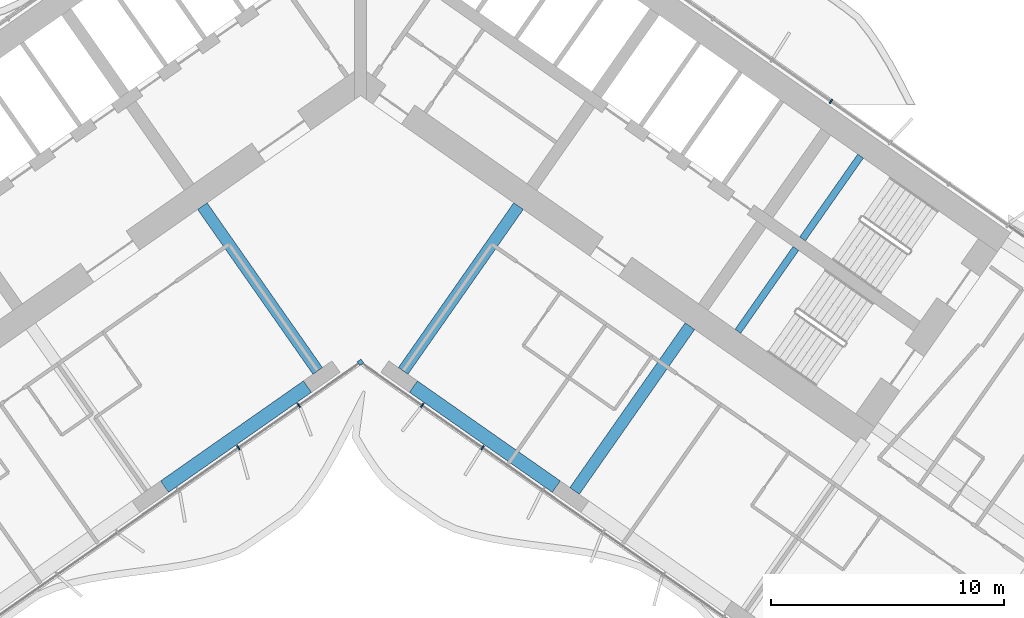
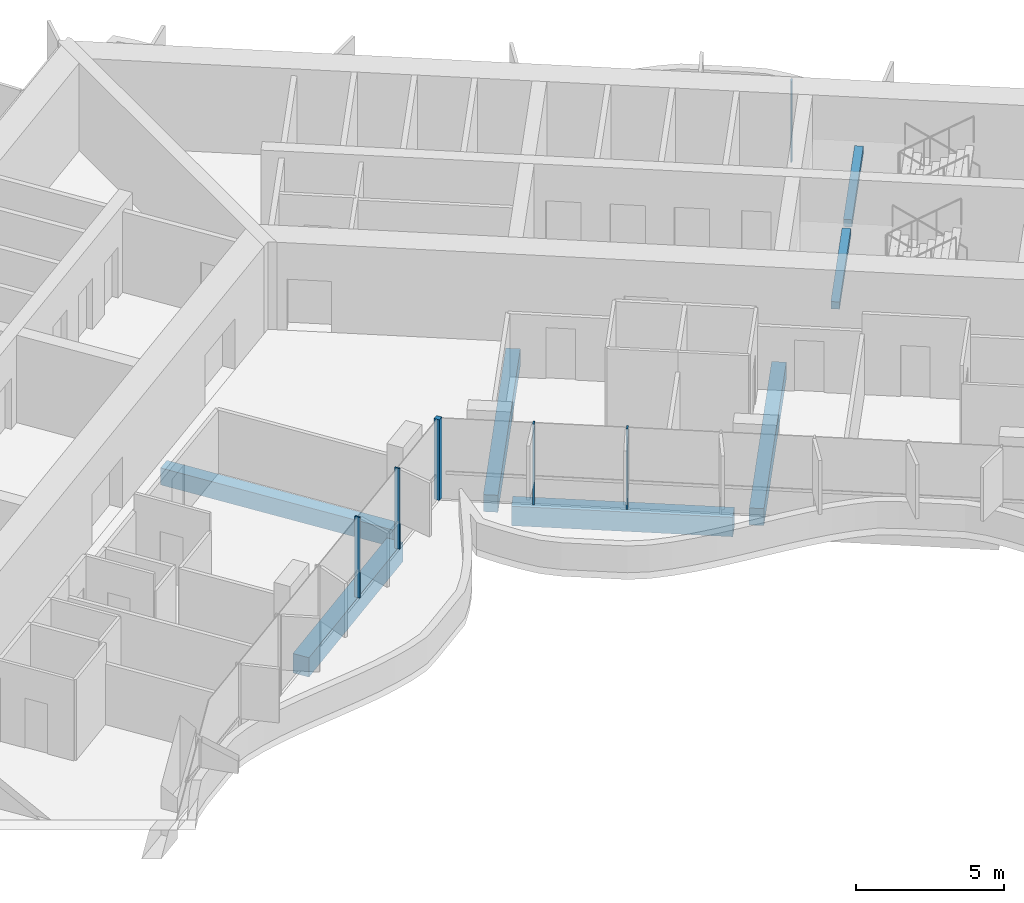
# One storey, part 6 of 23: 7 beams, 6 members, 2 elements without a shape of their own.
"""IFC4 building model written with IfcOpenShell, lengths in metres."""

from ifc_helpers import new_model, si_unit, direction, frame, origin, origin_2d, place, context, subcontext, project, spatial, rectangle, extrude, material, material_profile, profile_set, type_object, element, aggregate, save


model = new_model("IFC4")

# Units and contexts
model_context = context("Model", 3, precision=1e-05, world=origin(), true_north=direction((0.0, 1.0)))
body_context = subcontext(model_context, "Body", "Model", "MODEL_VIEW")
ifc_project = project(units=[si_unit("LENGTHUNIT", "METRE"), si_unit("AREAUNIT", "SQUARE_METRE"), si_unit("VOLUMEUNIT", "CUBIC_METRE"), si_unit("PLANEANGLEUNIT", "RADIAN"), si_unit("MASSUNIT", "GRAM", prefix="KILO")], contexts=[model_context])

# Site, building, storey
site_placement = place(None, origin())
site = spatial("IfcSite", under=ifc_project, at=site_placement, CompositionType="ELEMENT")
building_placement = place(site_placement, origin())
building = spatial("IfcBuilding", under=site, at=building_placement, Name="Tel Ilan Convention Tower", CompositionType="ELEMENT")
storey_placement = place(building_placement, frame((0.0, 0.0, 101.300048828125)))
storey = spatial("IfcBuildingStorey", under=building, at=storey_placement, Name="L21", CompositionType="ELEMENT", Elevation=101.300048828125)

# Beams
ifc_material_1 = material(Name="Concrete C40/50", Category="concrete")
ifc_material_profile_1 = material_profile(ifc_material_1, rectangle(XDim=0.5, YDim=0.699951171875, at=origin_2d()), Name="RC 500x700")
ifc_profile_set_1 = profile_set([ifc_material_profile_1], Name="Concrete C40/50")
beam_type_1 = type_object("IfcBeamType", Name="Beam RC 500x700 Concrete C40/50", PredefinedType="BEAM", material=ifc_profile_set_1)
for number, where, z_axis, x_axis, name in (
    (1, (-1.83740234375, -13.06689453125, -0.630126953125), (-0.573574099654, 0.819153680457, 0.0), (-0.819153680457, -0.573574099654, 0.0), "L21 beam W-W-F1-core"),
    (2, (1.83740234375, -13.06689453125, -0.630126953125), (0.573574099654, 0.819153680457, 0.0), (-0.819153680457, 0.573574099654, 0.0), "L21 beam E-E-F1-core"),
    (3, (9.209716796875, -18.229248046875, -0.630126953125), (0.573574099654, 0.819153680457, 0.0), (-0.819153680457, 0.573574099654, 0.0), "L21 beam E-E-F2-core"),
):
    element("IfcBeam", number, at=place(storey_placement, frame(where, z_axis=z_axis, x_axis=x_axis)), inside=storey, type_object=beam_type_1, Name=name, PredefinedType="BEAM", context=body_context, shape_type="SweptSolid", body=[
        extrude(rectangle(XDim=0.5, YDim=0.699951171875, at=origin_2d()), origin(), (0.0, 0.0, 1.0), 8.64990234375),
    ])
ifc_material_2 = material(Name="Concrete C40/50", Category="concrete")
ifc_material_profile_2 = material_profile(ifc_material_2, rectangle(XDim=0.60009765625, YDim=0.800048828125, at=origin_2d()), Name="RC 600x800")
ifc_profile_set_2 = profile_set([ifc_material_profile_2], Name="Concrete C40/50")
beam_type_2 = type_object("IfcBeamType", Name="Beam RC 600x800 Concrete C40/50", PredefinedType="BEAM", material=ifc_profile_set_2)
for number, where, z_axis, x_axis, name in (
    (4, (-2.279541015625, -13.742919921875, -0.679931640625), (-0.819147803225, -0.57358249317, 0.0), (0.57358249317, -0.819147803225, 0.0), "L21 beam W-W-F1-W-F2"),
    (5, (2.279541015625, -13.742919921875, -0.679931640625), (0.819147803225, -0.57358249317, 0.0), (0.57358249317, 0.819147803225, 0.0), "L21 beam E-E-F1-E-F2"),
):
    element("IfcBeam", number, at=place(storey_placement, frame(where, z_axis=z_axis, x_axis=x_axis)), inside=storey, type_object=beam_type_2, Name=name, PredefinedType="BEAM", context=body_context, shape_type="SweptSolid", body=[
        extrude(rectangle(XDim=0.60009765625, YDim=0.800048828125, at=origin_2d()), origin(), (0.0, 0.0, 1.0), 7.500244140625),
    ])

# Curtain wall, member
ifc_material_3 = material(Name="Aluminium, bronze anodised", Category="aluminium")
curtain_wall_type_1 = type_object("IfcCurtainWallType", Name="CW1 UNITISED CURTAIN WALL, HOTEL TINTED GLASS", PredefinedType="NOTDEFINED", material=ifc_material_3)
curtain_wall_1_placement = place(storey_placement, origin())
curtain_wall_1 = element("IfcCurtainWall", 6, at=curtain_wall_1_placement, inside=storey, type_object=curtain_wall_type_1, Name="Curtain wall CW1-19.02", PredefinedType="NOTDEFINED")
ifc_material_4 = material(Name="Aluminium, bronze anodised", Category="aluminium")
ifc_material_profile_3 = material_profile(ifc_material_4, rectangle(XDim=0.199951171875, YDim=0.199951171875, at=origin_2d()), Name="CW CORNER MULLION 200x200")
ifc_profile_set_3 = profile_set([ifc_material_profile_3], Name="Aluminium, bronze anodised")
member_type_1 = type_object("IfcMemberType", Name="CW CORNER MULLION 200x200", PredefinedType="MULLION", material=ifc_profile_set_3)
member_1_placement = place(storey_placement, frame((0.0, -12.696044921875, 0.0), z_axis=(0.0, 0.0, 1.0), x_axis=(0.819152044289, 0.573576436351, 0.0)))
member_1 = element("IfcMember", 7, at=member_1_placement, type_object=member_type_1, Name="Corner mullion", PredefinedType="MULLION", context=body_context, shape_type="SweptSolid", body=[
    extrude(rectangle(XDim=0.199951171875, YDim=0.199951171875, at=origin_2d()), origin(), (0.0, 0.0, 1.0), 3.320068359375),
])

ifc_material_5 = material(Name="Aluminium, bronze anodised", Category="aluminium")
curtain_wall_type_2 = type_object("IfcCurtainWallType", Name="CW2 STICK CURTAIN WALL, SPANDREL PANELS", PredefinedType="NOTDEFINED", material=ifc_material_5)
curtain_wall_2_placement = place(storey_placement, origin())
curtain_wall_2 = element("IfcCurtainWall", 8, at=curtain_wall_2_placement, inside=storey, type_object=curtain_wall_type_2, Name="Curtain wall CW2-19.01", PredefinedType="NOTDEFINED")
ifc_material_6 = material(Name="Aluminium, bronze anodised", Category="aluminium")
ifc_material_profile_4 = material_profile(ifc_material_6, rectangle(XDim=0.06005859375, YDim=0.199951171875, at=origin_2d()), Name="CW MULLION 60x200")
ifc_profile_set_4 = profile_set([ifc_material_profile_4], Name="Aluminium, bronze anodised")
member_type_2 = type_object("IfcMemberType", Name="CW MULLION 60x200", PredefinedType="MULLION", material=ifc_profile_set_4)
member_2_placement = place(storey_placement, frame((20.238037109375, -1.474853515625, 0.0), z_axis=(0.0, 0.0, 1.0), x_axis=(-0.819152044289, 0.573576436351, 0.0)))
member_2 = element("IfcMember", 9, at=member_2_placement, type_object=member_type_2, Name="Mullion", PredefinedType="MULLION", context=body_context, shape_type="SweptSolid", body=[
    extrude(rectangle(XDim=0.06005859375, YDim=0.199951171875, at=origin_2d()), origin(), (0.0, 0.0, 1.0), 3.320068359375),
])
aggregate(curtain_wall_2, [member_2])

# Member
member_3_placement = place(storey_placement, frame((-5.24755859375, -16.370361328125, 0.0), z_axis=(0.0, 0.0, 1.0), x_axis=(0.819152044289, 0.573576436351, 0.0)))
member_3 = element("IfcMember", 10, at=member_3_placement, type_object=member_type_2, Name="Mullion", PredefinedType="MULLION", context=body_context, shape_type="SweptSolid", body=[
    extrude(rectangle(XDim=0.06005859375, YDim=0.199951171875, at=origin_2d()), origin(), (0.0, 0.0, 1.0), 3.320068359375),
])

member_4_placement = place(storey_placement, frame((-2.65234375, -14.55322265625, 0.0), z_axis=(0.0, 0.0, 1.0), x_axis=(0.819152044289, 0.573576436351, 0.0)))
member_4 = element("IfcMember", 11, at=member_4_placement, type_object=member_type_2, Name="Mullion", PredefinedType="MULLION", context=body_context, shape_type="SweptSolid", body=[
    extrude(rectangle(XDim=0.06005859375, YDim=0.199951171875, at=origin_2d()), origin(), (0.0, 0.0, 1.0), 3.320068359375),
])

member_5_placement = place(storey_placement, frame((2.65234375, -14.55322265625, 0.0), z_axis=(0.0, 0.0, 1.0), x_axis=(0.819152044289, -0.573576436351, 0.0)))
member_5 = element("IfcMember", 12, at=member_5_placement, type_object=member_type_2, Name="Mullion", PredefinedType="MULLION", context=body_context, shape_type="SweptSolid", body=[
    extrude(rectangle(XDim=0.06005859375, YDim=0.199951171875, at=origin_2d()), origin(), (0.0, 0.0, 1.0), 3.320068359375),
])

member_6_placement = place(storey_placement, frame((5.24755859375, -16.370361328125, 0.0), z_axis=(0.0, 0.0, 1.0), x_axis=(0.819152044289, -0.573576436351, 0.0)))
member_6 = element("IfcMember", 13, at=member_6_placement, type_object=member_type_2, Name="Mullion", PredefinedType="MULLION", context=body_context, shape_type="SweptSolid", body=[
    extrude(rectangle(XDim=0.06005859375, YDim=0.199951171875, at=origin_2d()), origin(), (0.0, 0.0, 1.0), 3.320068359375),
])

aggregate(curtain_wall_1, [member_3, member_4, member_1, member_5, member_6])

# Beams
ifc_material_7 = material(Name="Concrete C40/50", Category="concrete")
ifc_material_profile_5 = material_profile(ifc_material_7, rectangle(XDim=0.300048828125, YDim=0.300048828125, at=origin_2d()), Name="RC 300x300")
ifc_profile_set_5 = profile_set([ifc_material_profile_5], Name="Concrete C40/50")
beam_type_3 = type_object("IfcBeamType", Name="Landing Beam RC 300x300 Concrete C40/50", PredefinedType="BEAM", material=ifc_profile_set_5)
beam_1_placement = place(storey_placement, frame((21.5087890625, -3.829345703125, 1.449951171875), z_axis=(-0.57356780395, -0.819158088694, 0.0), x_axis=(0.819158088694, -0.57356780395, 0.0)))
element("IfcBeam", 14, at=beam_1_placement, inside=storey, type_object=beam_type_3, Name="S3 landing beam L21.1", PredefinedType="BEAM", context=body_context, shape_type="SweptSolid", body=[
    extrude(rectangle(XDim=0.300048828125, YDim=0.300048828125, at=origin_2d()), origin(), (0.0, 0.0, 1.0), 4.35009765625),
])
beam_2_placement = place(storey_placement, frame((18.726806640625, -7.80224609375, 1.449951171875), z_axis=(-0.573594173421, -0.819139624372, 0.0), x_axis=(0.819139624372, -0.573594173421, 0.0)))
element("IfcBeam", 15, at=beam_2_placement, inside=storey, type_object=beam_type_3, Name="S4 landing beam L21.1", PredefinedType="BEAM", context=body_context, shape_type="SweptSolid", body=[
    extrude(rectangle(XDim=0.300048828125, YDim=0.300048828125, at=origin_2d()), origin(), (0.0, 0.0, 1.0), 4.349853515625),
])

save(model, "model.ifc")
